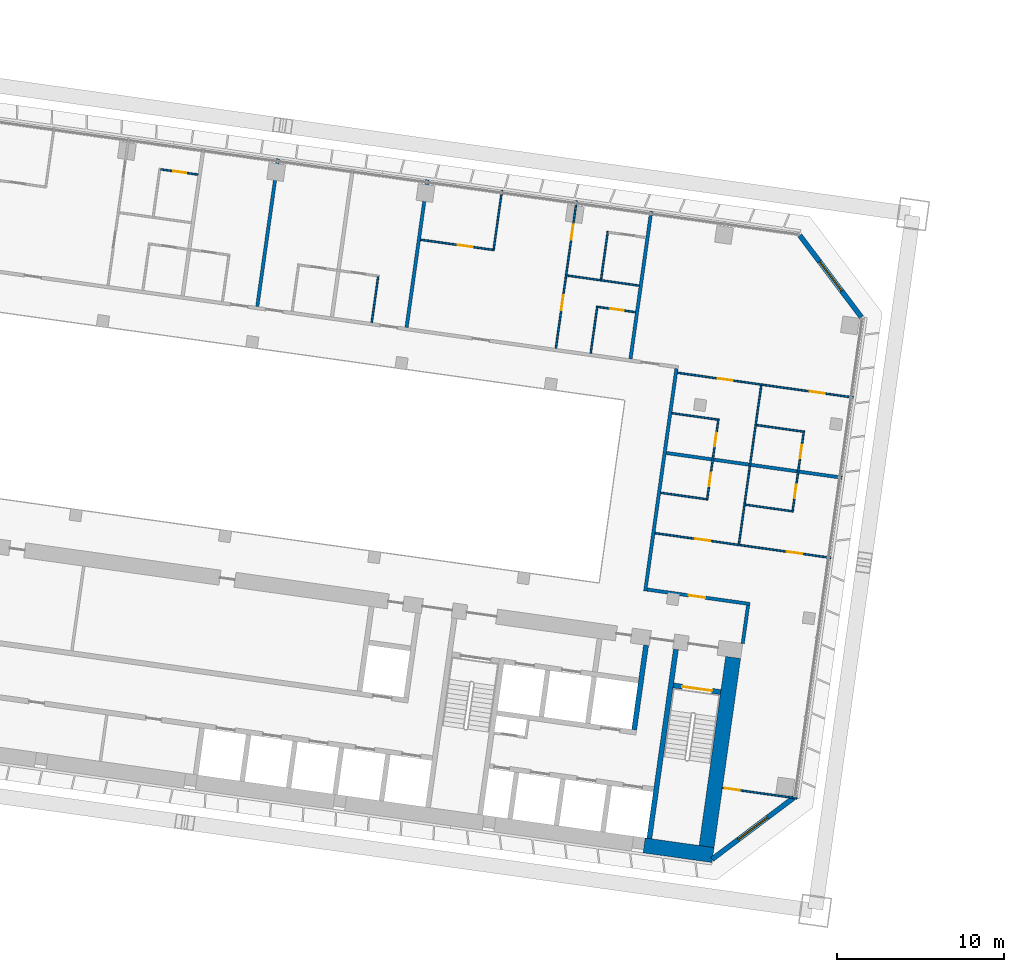
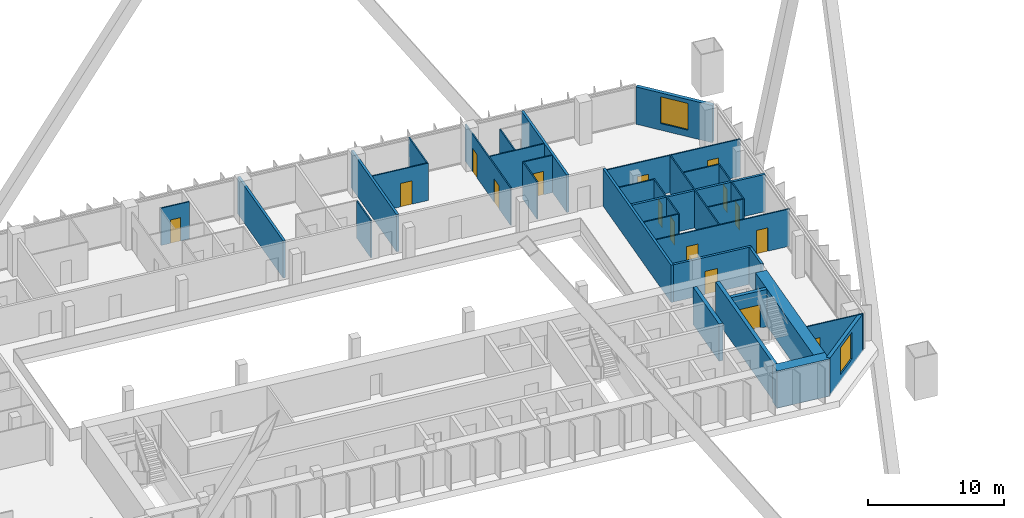
# One storey, part 41 of 49: 33 walls, 16 doors, 2 windows, 18 openings.
"""IFC4 building model written with IfcOpenShell, lengths in metres."""

from ifc_helpers import new_model, si_unit, direction, frame, frame_2d, origin, place, context, subcontext, project, spatial, rectangle, extrude, material, layer, layer_set, type_object, element, fill, save


model = new_model("IFC4")

# Units and contexts
model_context = context("Model", 3, precision=1e-05, world=origin(), true_north=direction((0.0, 1.0)))
body_context = subcontext(model_context, "Body", "Model", "MODEL_VIEW")
ifc_project = project(units=[si_unit("LENGTHUNIT", "METRE"), si_unit("AREAUNIT", "SQUARE_METRE"), si_unit("VOLUMEUNIT", "CUBIC_METRE"), si_unit("PLANEANGLEUNIT", "RADIAN"), si_unit("MASSUNIT", "GRAM", prefix="KILO")], contexts=[model_context])

# Site, building, storey
site_placement = place(None, origin())
site = spatial("IfcSite", under=ifc_project, at=site_placement, CompositionType="ELEMENT")
building_placement = place(site_placement, origin())
building = spatial("IfcBuilding", under=site, at=building_placement, Name="Mirante Cascada Hotel Towers", CompositionType="ELEMENT")
storey_placement = place(building_placement, frame((0.0, 0.0, 66.1)))
storey = spatial("IfcBuildingStorey", under=building, at=storey_placement, Name="L13", CompositionType="ELEMENT", Elevation=66.1)

# Wall, opening, door
ifc_material_1 = material(Name="Fire-rated plasterboard on metal studs")
ifc_layer_1 = layer(ifc_material_1, 0.2)
ifc_layer_set_1 = layer_set([ifc_layer_1], Name="Compartment wall 200 EI 120")
wall_type_1 = type_object("IfcWallType", Name="Compartment wall 200 EI 120", PredefinedType="PARTITIONING", material=ifc_layer_set_1)
wall_1_placement = place(storey_placement, frame((-34.8304, -4.7545, 0.0), z_axis=(0.0, 0.0, 1.0), x_axis=(-0.9902695, 0.1391629, 0.0)))
wall_1 = element("IfcWall", 1, at=wall_1_placement, inside=storey, type_object=wall_type_1, Name="Wall 1-L13-04", PredefinedType="PARTITIONING", context=body_context, shape_type="SweptSolid", body=[
    extrude(rectangle(XDim=6.1999, YDim=0.2, at=frame_2d((3.1, 0.0))), origin(), (0.0, 0.0, 1.0), 3.35),
])
opening_1_placement = place(wall_1_placement, frame((2.7, 0.0, 0.0)))
opening_1 = element("IfcOpeningElement", 2, at=opening_1_placement, cuts=wall_1, Name="Opening D1-L13-05", PredefinedType="OPENING", context=body_context, shape_type="SweptSolid", body=[
    extrude(rectangle(XDim=1.0, YDim=2.1, at=frame_2d((0.5, 1.05))), frame((0.0, 0.1, 0.0), z_axis=(0.0, -1.0, 0.0), x_axis=(1.0, 0.0, 0.0)), (0.0, 0.0, 1.0), 0.2),
])
ifc_material_2 = material(Name="Fire-rated timber door leaf", Category="wood")
door_type_1 = type_object("IfcDoorType", Name="Entrance door DG1 1000x2100 EI 60", OperationType="SINGLE_SWING_LEFT", PredefinedType="DOOR", material=ifc_material_2)
door_1_placement = place(opening_1_placement, origin())
door_1 = element("IfcDoor", 3, at=door_1_placement, inside=storey, type_object=door_type_1, Name="Door D1-L13-05", OperationType="SINGLE_SWING_LEFT", OverallHeight=2.1, OverallWidth=1.0, PredefinedType="DOOR", context=body_context, shape_type="SweptSolid", body=[
    extrude(rectangle(XDim=1.0, YDim=2.1, at=frame_2d((0.5, 1.05))), frame((0.0, 0.025, 0.0), z_axis=(0.0, -1.0, 0.0), x_axis=(1.0, 0.0, 0.0)), (0.0, 0.0, 1.0), 0.05),
])
fill(opening_1, door_1)

# Walls
wall_2_placement = place(storey_placement, frame((-29.3273, 2.7863, 0.0), z_axis=(0.0, 0.0, 1.0), x_axis=(-0.9902686, 0.1391691, 0.0)))
element("IfcWall", 4, at=wall_2_placement, inside=storey, type_object=wall_type_1, Name="Wall 1-L13-12", PredefinedType="PARTITIONING", context=body_context, shape_type="SweptSolid", body=[
    extrude(rectangle(XDim=10.6001, YDim=0.2, at=frame_2d((5.3, 0.0))), origin(), (0.0, 0.0, 1.0), 3.35),
])
wall_3_placement = place(storey_placement, frame((-35.2634, -7.1173, 0.0), z_axis=(0.0, 0.0, 1.0), x_axis=(0.1391749, 0.9902678, 0.0)))
element("IfcWall", 5, at=wall_3_placement, inside=storey, type_object=wall_type_1, Name="Wall 1-L13-32", PredefinedType="PARTITIONING", context=body_context, shape_type="SweptSolid", body=[
    extrude(rectangle(XDim=2.3, YDim=0.2, at=frame_2d((1.15, 0.0))), origin(), (0.0, 0.0, 1.0), 3.35),
])
wall_4_placement = place(storey_placement, frame((-39.2181, 9.2928, 0.0), z_axis=(0.0, 0.0, 1.0), x_axis=(-0.1391716, -0.9902683, 0.0)))
element("IfcWall", 6, at=wall_4_placement, inside=storey, type_object=wall_type_1, Name="Wall 1-L13-35", PredefinedType="PARTITIONING", context=body_context, shape_type="SweptSolid", body=[
    extrude(rectangle(XDim=13.4, YDim=0.2, at=frame_2d((6.7, 0.0))), origin(), (0.0, 0.0, 1.0), 3.35),
])
for number, where, z_axis, x_axis, name in (
    (7, (-41.963, 9.8805, 0.0), (0.0, 0.0, 1.0), (0.1391794, 0.9902672, 0.0), "Wall 1-L13-36"),
    (8, (-54.0929, 20.5728, 0.0), (0.0, 0.0, 1.0), (-0.1391794, -0.9902672, 0.0), "Wall 1-L13-41"),
    (9, (-63.0054, 21.8253, 0.0), (0.0, 0.0, 1.0), (-0.1391684, -0.9902687, 0.0), "Wall 1-L13-45"),
):
    element("IfcWall", number, at=place(storey_placement, frame(where, z_axis=z_axis, x_axis=x_axis)), inside=storey, type_object=wall_type_1, Name=name, PredefinedType="PARTITIONING", context=body_context, shape_type="SweptSolid", body=[
        extrude(rectangle(XDim=8.9, YDim=0.2, at=frame_2d((4.45, 0.0))), origin(), (0.0, 0.0, 1.0), 3.35),
    ])

# Wall, opening, door
ifc_material_3 = material(Name="Plasterboard on metal studs")
ifc_layer_2 = layer(ifc_material_3, 0.1)
ifc_layer_set_2 = layer_set([ifc_layer_2], Name="Partition 100")
wall_type_2 = type_object("IfcWallType", Name="Partition 100", PredefinedType="PARTITIONING", material=ifc_layer_set_2)
wall_5_placement = place(storey_placement, frame((-36.4742, -15.7326, 0.0), z_axis=(0.0, 0.0, 1.0), x_axis=(0.9902674, -0.1391779, 0.0)))
wall_5 = element("IfcWall", 10, at=wall_5_placement, inside=storey, type_object=wall_type_2, Name="Wall 1-L13-01", PredefinedType="PARTITIONING", context=body_context, shape_type="SweptSolid", body=[
    extrude(rectangle(XDim=4.5, YDim=0.1, at=frame_2d((2.25, 0.0))), origin(), (0.0, 0.0, 1.0), 3.35),
])
opening_2_placement = place(wall_5_placement, frame((0.15, 0.0, 0.0)))
opening_2 = element("IfcOpeningElement", 11, at=opening_2_placement, cuts=wall_5, Name="Opening D1-L13-01", PredefinedType="OPENING", context=body_context, shape_type="SweptSolid", body=[
    extrude(rectangle(XDim=0.9, YDim=2.1, at=frame_2d((0.45, 1.05))), frame((0.0, 0.05, 0.0), z_axis=(0.0, -1.0, 0.0), x_axis=(1.0, 0.0, 0.0)), (0.0, 0.0, 1.0), 0.1),
])
ifc_material_4 = material(Name="Timber door leaf", Category="wood")
door_type_2 = type_object("IfcDoorType", Name="Room door DG3 900x2100", OperationType="SINGLE_SWING_LEFT", PredefinedType="DOOR", material=ifc_material_4)
door_2_placement = place(opening_2_placement, origin())
door_2 = element("IfcDoor", 12, at=door_2_placement, inside=storey, type_object=door_type_2, Name="Door D1-L13-01", OperationType="SINGLE_SWING_LEFT", OverallHeight=2.1, OverallWidth=0.9, PredefinedType="DOOR", context=body_context, shape_type="SweptSolid", body=[
    extrude(rectangle(XDim=0.9, YDim=2.1, at=frame_2d((0.45, 1.05))), frame((0.0, 0.025, 0.0), z_axis=(0.0, -1.0, 0.0), x_axis=(1.0, 0.0, 0.0)), (0.0, 0.0, 1.0), 0.05),
])
fill(opening_2, door_2)

# Wall, openings, doors
wall_6_placement = place(storey_placement, frame((-40.4968, -0.5248, 0.0), z_axis=(0.0, 0.0, 1.0), x_axis=(0.9902684, -0.1391704, 0.0)))
wall_6 = element("IfcWall", 13, at=wall_6_placement, inside=storey, type_object=wall_type_2, Name="Wall 1-L13-07", PredefinedType="PARTITIONING", context=body_context, shape_type="SweptSolid", body=[
    extrude(rectangle(XDim=10.6, YDim=0.1, at=frame_2d((5.3, 0.0))), origin(), (0.0, 0.0, 1.0), 3.35),
])
opening_3_placement = place(wall_6_placement, frame((7.975, 0.0, 0.0)))
opening_3 = element("IfcOpeningElement", 14, at=opening_3_placement, cuts=wall_6, Name="Opening D1-L13-06", PredefinedType="OPENING", context=body_context, shape_type="SweptSolid", body=[
    extrude(rectangle(XDim=0.9, YDim=2.1, at=frame_2d((0.45, 1.05))), frame((0.0, 0.05, 0.0), z_axis=(0.0, -1.0, 0.0), x_axis=(1.0, 0.0, 0.0)), (0.0, 0.0, 1.0), 0.1),
])
opening_4_placement = place(wall_6_placement, frame((2.425, 0.0, 0.0)))
opening_4 = element("IfcOpeningElement", 15, at=opening_4_placement, cuts=wall_6, Name="Opening D1-L13-07", PredefinedType="OPENING", context=body_context, shape_type="SweptSolid", body=[
    extrude(rectangle(XDim=0.9, YDim=2.1, at=frame_2d((0.45, 1.05))), frame((0.0, 0.05, 0.0), z_axis=(0.0, -1.0, 0.0), x_axis=(1.0, 0.0, 0.0)), (0.0, 0.0, 1.0), 0.1),
])
door_3_placement = place(opening_3_placement, frame((0.9, 0.0, 0.0), z_axis=(0.0, 0.0, 1.0), x_axis=(-1.0, 0.0, 0.0)))
door_3 = element("IfcDoor", 16, at=door_3_placement, inside=storey, type_object=door_type_2, Name="Door D1-L13-06", OperationType="SINGLE_SWING_RIGHT", OverallHeight=2.1, OverallWidth=0.9, PredefinedType="DOOR", context=body_context, shape_type="SweptSolid", body=[
    extrude(rectangle(XDim=0.9, YDim=2.1, at=frame_2d((0.45, 1.05))), frame((0.0, 0.025, 0.0), z_axis=(0.0, -1.0, 0.0), x_axis=(1.0, 0.0, 0.0)), (0.0, 0.0, 1.0), 0.05),
])
fill(opening_3, door_3)
door_4_placement = place(opening_4_placement, frame((0.9, 0.0, 0.0), z_axis=(0.0, 0.0, 1.0), x_axis=(-1.0, 0.0, 0.0)))
door_4 = element("IfcDoor", 17, at=door_4_placement, inside=storey, type_object=door_type_2, Name="Door D1-L13-07", OperationType="SINGLE_SWING_RIGHT", OverallHeight=2.1, OverallWidth=0.9, PredefinedType="DOOR", context=body_context, shape_type="SweptSolid", body=[
    extrude(rectangle(XDim=0.9, YDim=2.1, at=frame_2d((0.45, 1.05))), frame((0.0, 0.025, 0.0), z_axis=(0.0, -1.0, 0.0), x_axis=(1.0, 0.0, 0.0)), (0.0, 0.0, 1.0), 0.05),
])
fill(opening_4, door_4)

# Walls
wall_7_placement = place(storey_placement, frame((-32.3351, 0.7854, 0.0), z_axis=(0.0, 0.0, 1.0), x_axis=(-0.990267, 0.139181, 0.0)))
element("IfcWall", 18, at=wall_7_placement, inside=storey, type_object=wall_type_2, Name="Wall 1-L13-10", PredefinedType="PARTITIONING", context=body_context, shape_type="SweptSolid", body=[
    extrude(rectangle(XDim=2.8, YDim=0.1, at=frame_2d((1.4, 0.0))), origin(), (0.0, 0.0, 1.0), 3.35),
])
wall_8_placement = place(storey_placement, frame((-40.1582, 1.8849, 0.0), z_axis=(0.0, 0.0, 1.0), x_axis=(0.9902641, -0.1392013, 0.0)))
element("IfcWall", 19, at=wall_8_placement, inside=storey, type_object=wall_type_2, Name="Wall 1-L13-11", PredefinedType="PARTITIONING", context=body_context, shape_type="SweptSolid", body=[
    extrude(rectangle(XDim=2.75, YDim=0.1, at=frame_2d((1.375, 0.0))), origin(), (0.0, 0.0, 1.0), 3.35),
])
wall_9_placement = place(storey_placement, frame((-31.667, 5.5387, 0.0), z_axis=(0.0, 0.0, 1.0), x_axis=(-0.9902677, 0.139176, 0.0)))
element("IfcWall", 20, at=wall_9_placement, inside=storey, type_object=wall_type_2, Name="Wall 1-L13-14", PredefinedType="PARTITIONING", context=body_context, shape_type="SweptSolid", body=[
    extrude(rectangle(XDim=2.8001, YDim=0.1, at=frame_2d((1.4, 0.0))), origin(), (0.0, 0.0, 1.0), 3.35),
])
wall_10_placement = place(storey_placement, frame((-39.4902, 6.6381, 0.0), z_axis=(0.0, 0.0, 1.0), x_axis=(0.9902698, -0.1391607, 0.0)))
element("IfcWall", 21, at=wall_10_placement, inside=storey, type_object=wall_type_2, Name="Wall 1-L13-15", PredefinedType="PARTITIONING", context=body_context, shape_type="SweptSolid", body=[
    extrude(rectangle(XDim=2.7501, YDim=0.1, at=frame_2d((1.3751, 0.0))), origin(), (0.0, 0.0, 1.0), 3.35),
])

# Wall, openings, doors
wall_11_placement = place(storey_placement, frame((-28.6547, 7.5726, 0.0), z_axis=(0.0, 0.0, 1.0), x_axis=(-0.9902671, 0.1391797, 0.0)))
wall_11 = element("IfcWall", 22, at=wall_11_placement, inside=storey, type_object=wall_type_2, Name="Wall 1-L13-18", PredefinedType="PARTITIONING", context=body_context, shape_type="SweptSolid", body=[
    extrude(rectangle(XDim=10.6, YDim=0.1, at=frame_2d((5.3, 0.0))), origin(), (0.0, 0.0, 1.0), 3.35),
])
opening_5_placement = place(wall_11_placement, frame((1.725, 0.0, 0.0)))
opening_5 = element("IfcOpeningElement", 23, at=opening_5_placement, cuts=wall_11, Name="Opening D1-L13-08", PredefinedType="OPENING", context=body_context, shape_type="SweptSolid", body=[
    extrude(rectangle(XDim=0.9, YDim=2.1, at=frame_2d((0.45, 1.05))), frame((0.0, 0.05, 0.0), z_axis=(0.0, -1.0, 0.0), x_axis=(1.0, 0.0, 0.0)), (0.0, 0.0, 1.0), 0.1),
])
opening_6_placement = place(wall_11_placement, frame((7.275, 0.0, 0.0)))
opening_6 = element("IfcOpeningElement", 24, at=opening_6_placement, cuts=wall_11, Name="Opening D1-L13-09", PredefinedType="OPENING", context=body_context, shape_type="SweptSolid", body=[
    extrude(rectangle(XDim=0.9, YDim=2.1, at=frame_2d((0.45, 1.05))), frame((0.0, 0.05, 0.0), z_axis=(0.0, -1.0, 0.0), x_axis=(1.0, 0.0, 0.0)), (0.0, 0.0, 1.0), 0.1),
])
door_5_placement = place(opening_5_placement, frame((0.9, 0.0, 0.0), z_axis=(0.0, 0.0, 1.0), x_axis=(-1.0, 0.0, 0.0)))
door_5 = element("IfcDoor", 25, at=door_5_placement, inside=storey, type_object=door_type_2, Name="Door D1-L13-08", OperationType="SINGLE_SWING_RIGHT", OverallHeight=2.1, OverallWidth=0.9, PredefinedType="DOOR", context=body_context, shape_type="SweptSolid", body=[
    extrude(rectangle(XDim=0.9, YDim=2.1, at=frame_2d((0.45, 1.05))), frame((0.0, 0.025, 0.0), z_axis=(0.0, -1.0, 0.0), x_axis=(1.0, 0.0, 0.0)), (0.0, 0.0, 1.0), 0.05),
])
fill(opening_5, door_5)
door_6_placement = place(opening_6_placement, frame((0.9, 0.0, 0.0), z_axis=(0.0, 0.0, 1.0), x_axis=(-1.0, 0.0, 0.0)))
door_6 = element("IfcDoor", 26, at=door_6_placement, inside=storey, type_object=door_type_2, Name="Door D1-L13-09", OperationType="SINGLE_SWING_RIGHT", OverallHeight=2.1, OverallWidth=0.9, PredefinedType="DOOR", context=body_context, shape_type="SweptSolid", body=[
    extrude(rectangle(XDim=0.9, YDim=2.1, at=frame_2d((0.45, 1.05))), frame((0.0, 0.025, 0.0), z_axis=(0.0, -1.0, 0.0), x_axis=(1.0, 0.0, 0.0)), (0.0, 0.0, 1.0), 0.05),
])
fill(opening_6, door_6)

# Wall, opening, door
wall_12_placement = place(storey_placement, frame((-43.9004, 12.9804, 0.0), z_axis=(0.0, 0.0, 1.0), x_axis=(0.9902643, -0.1391997, 0.0)))
wall_12 = element("IfcWall", 27, at=wall_12_placement, inside=storey, type_object=wall_type_2, Name="Wall 1-L13-21", PredefinedType="PARTITIONING", context=body_context, shape_type="SweptSolid", body=[
    extrude(rectangle(XDim=2.25, YDim=0.1, at=frame_2d((1.125, 0.0))), origin(), (0.0, 0.0, 1.0), 3.35),
])
opening_7_placement = place(wall_12_placement, frame((0.75, 0.0, 0.0)))
opening_7 = element("IfcOpeningElement", 28, at=opening_7_placement, cuts=wall_12, Name="Opening D1-L13-20", PredefinedType="OPENING", context=body_context, shape_type="SweptSolid", body=[
    extrude(rectangle(XDim=0.8, YDim=2.1, at=frame_2d((0.4, 1.05))), frame((0.0, 0.05, 0.0), z_axis=(0.0, -1.0, 0.0), x_axis=(1.0, 0.0, 0.0)), (0.0, 0.0, 1.0), 0.1),
])
ifc_material_5 = material(Name="Timber door leaf", Category="wood")
door_type_3 = type_object("IfcDoorType", Name="Bathroom door DG4 800x2100", OperationType="SINGLE_SWING_LEFT", PredefinedType="DOOR", material=ifc_material_5)
door_7_placement = place(opening_7_placement, frame((0.8, 0.0, 0.0), z_axis=(0.0, 0.0, 1.0), x_axis=(-1.0, 0.0, 0.0)))
door_7 = element("IfcDoor", 29, at=door_7_placement, inside=storey, type_object=door_type_3, Name="Door D1-L13-20", OperationType="SINGLE_SWING_RIGHT", OverallHeight=2.1, OverallWidth=0.8, PredefinedType="DOOR", context=body_context, shape_type="SweptSolid", body=[
    extrude(rectangle(XDim=0.8, YDim=2.1, at=frame_2d((0.4, 1.05))), frame((0.0, 0.025, 0.0), z_axis=(0.0, -1.0, 0.0), x_axis=(1.0, 0.0, 0.0)), (0.0, 0.0, 1.0), 0.05),
])
fill(opening_7, door_7)

# Wall
wall_13_placement = place(storey_placement, frame((-45.7573, 14.857, 0.0), z_axis=(0.0, 0.0, 1.0), x_axis=(0.9902683, -0.1391714, 0.0)))
element("IfcWall", 30, at=wall_13_placement, inside=storey, type_object=wall_type_2, Name="Wall 1-L13-25", PredefinedType="PARTITIONING", context=body_context, shape_type="SweptSolid", body=[
    extrude(rectangle(XDim=4.35, YDim=0.1, at=frame_2d((2.175, 0.0))), origin(), (0.0, 0.0, 1.0), 3.35),
])

# Wall, opening, door
wall_14_placement = place(storey_placement, frame((-54.4949, 16.9939, 0.0), z_axis=(0.0, 0.0, 1.0), x_axis=(0.9902683, -0.1391715, 0.0)))
wall_14 = element("IfcWall", 31, at=wall_14_placement, inside=storey, type_object=wall_type_2, Name="Wall 1-L13-27", PredefinedType="PARTITIONING", context=body_context, shape_type="SweptSolid", body=[
    extrude(rectangle(XDim=4.4499, YDim=0.1, at=frame_2d((2.225, 0.0))), origin(), (0.0, 0.0, 1.0), 3.35),
])
opening_8_placement = place(wall_14_placement, frame((2.25, 0.0, 0.0)))
opening_8 = element("IfcOpeningElement", 32, at=opening_8_placement, cuts=wall_14, Name="Opening D1-L13-26", PredefinedType="OPENING", context=body_context, shape_type="SweptSolid", body=[
    extrude(rectangle(XDim=0.9, YDim=2.1, at=frame_2d((0.45, 1.05))), frame((0.0, 0.05, 0.0), z_axis=(0.0, -1.0, 0.0), x_axis=(1.0, 0.0, 0.0)), (0.0, 0.0, 1.0), 0.1),
])
door_8_placement = place(opening_8_placement, frame((0.9, 0.0, 0.0), z_axis=(0.0, 0.0, 1.0), x_axis=(-1.0, 0.0, 0.0)))
door_8 = element("IfcDoor", 33, at=door_8_placement, inside=storey, type_object=door_type_2, Name="Door D1-L13-26", OperationType="SINGLE_SWING_RIGHT", OverallHeight=2.1, OverallWidth=0.9, PredefinedType="DOOR", context=body_context, shape_type="SweptSolid", body=[
    extrude(rectangle(XDim=0.9, YDim=2.1, at=frame_2d((0.45, 1.05))), frame((0.0, 0.025, 0.0), z_axis=(0.0, -1.0, 0.0), x_axis=(1.0, 0.0, 0.0)), (0.0, 0.0, 1.0), 0.05),
])
fill(opening_8, door_8)

wall_15_placement = place(storey_placement, frame((-67.7833, 20.8811, 0.0), z_axis=(0.0, 0.0, 1.0), x_axis=(-0.9902705, 0.1391561, 0.0)))
wall_15 = element("IfcWall", 34, at=wall_15_placement, inside=storey, type_object=wall_type_2, Name="Wall 1-L13-30", PredefinedType="PARTITIONING", context=body_context, shape_type="SweptSolid", body=[
    extrude(rectangle(XDim=2.25, YDim=0.1, at=frame_2d((1.125, 0.0))), origin(), (0.0, 0.0, 1.0), 3.35),
])
opening_9_placement = place(wall_15_placement, frame((0.7, 0.0, 0.0)))
opening_9 = element("IfcOpeningElement", 35, at=opening_9_placement, cuts=wall_15, Name="Opening D1-L13-29", PredefinedType="OPENING", context=body_context, shape_type="SweptSolid", body=[
    extrude(rectangle(XDim=0.8, YDim=2.1, at=frame_2d((0.4, 1.05))), frame((0.0, 0.05, 0.0), z_axis=(0.0, -1.0, 0.0), x_axis=(1.0, 0.0, 0.0)), (0.0, 0.0, 1.0), 0.1),
])
door_9_placement = place(opening_9_placement, origin())
door_9 = element("IfcDoor", 36, at=door_9_placement, inside=storey, type_object=door_type_3, Name="Door D1-L13-29", OperationType="SINGLE_SWING_LEFT", OverallHeight=2.1, OverallWidth=0.8, PredefinedType="DOOR", context=body_context, shape_type="SweptSolid", body=[
    extrude(rectangle(XDim=0.8, YDim=2.1, at=frame_2d((0.4, 1.05))), frame((0.0, 0.025, 0.0), z_axis=(0.0, -1.0, 0.0), x_axis=(1.0, 0.0, 0.0)), (0.0, 0.0, 1.0), 0.05),
])
fill(opening_9, door_9)

# Wall, openings, doors
wall_16_placement = place(storey_placement, frame((-31.6106, 5.5812, 0.0), z_axis=(0.0, 0.0, 1.0), x_axis=(-0.1391638, -0.9902694, 0.0)))
wall_16 = element("IfcWall", 37, at=wall_16_placement, inside=storey, type_object=wall_type_2, Name="Wall 1-L13-31", PredefinedType="PARTITIONING", context=body_context, shape_type="SweptSolid", body=[
    extrude(rectangle(XDim=4.9, YDim=0.1, at=frame_2d((2.45, 0.0))), origin(), (0.0, 0.0, 1.0), 3.35),
])
opening_10_placement = place(wall_16_placement, frame((3.25, 0.0, 0.0)))
opening_10 = element("IfcOpeningElement", 38, at=opening_10_placement, cuts=wall_16, Name="Opening D1-L13-30", PredefinedType="OPENING", context=body_context, shape_type="SweptSolid", body=[
    extrude(rectangle(XDim=0.8, YDim=2.1, at=frame_2d((0.4, 1.05))), frame((0.0, 0.05, 0.0), z_axis=(0.0, -1.0, 0.0), x_axis=(1.0, 0.0, 0.0)), (0.0, 0.0, 1.0), 0.1),
])
opening_11_placement = place(wall_16_placement, frame((0.85, 0.0, 0.0)))
opening_11 = element("IfcOpeningElement", 39, at=opening_11_placement, cuts=wall_16, Name="Opening D1-L13-31", PredefinedType="OPENING", context=body_context, shape_type="SweptSolid", body=[
    extrude(rectangle(XDim=0.8, YDim=2.1, at=frame_2d((0.4, 1.05))), frame((0.0, 0.05, 0.0), z_axis=(0.0, -1.0, 0.0), x_axis=(1.0, 0.0, 0.0)), (0.0, 0.0, 1.0), 0.1),
])
door_10_placement = place(opening_10_placement, frame((0.8, 0.0, 0.0), z_axis=(0.0, 0.0, 1.0), x_axis=(-1.0, 0.0, 0.0)))
door_10 = element("IfcDoor", 40, at=door_10_placement, inside=storey, type_object=door_type_3, Name="Door D1-L13-30", OperationType="SINGLE_SWING_RIGHT", OverallHeight=2.1, OverallWidth=0.8, PredefinedType="DOOR", context=body_context, shape_type="SweptSolid", body=[
    extrude(rectangle(XDim=0.8, YDim=2.1, at=frame_2d((0.4, 1.05))), frame((0.0, 0.025, 0.0), z_axis=(0.0, -1.0, 0.0), x_axis=(1.0, 0.0, 0.0)), (0.0, 0.0, 1.0), 0.05),
])
fill(opening_10, door_10)
door_11_placement = place(opening_11_placement, frame((0.8, 0.0, 0.0), z_axis=(0.0, 0.0, 1.0), x_axis=(-1.0, 0.0, 0.0)))
door_11 = element("IfcDoor", 41, at=door_11_placement, inside=storey, type_object=door_type_3, Name="Door D1-L13-31", OperationType="SINGLE_SWING_RIGHT", OverallHeight=2.1, OverallWidth=0.8, PredefinedType="DOOR", context=body_context, shape_type="SweptSolid", body=[
    extrude(rectangle(XDim=0.8, YDim=2.1, at=frame_2d((0.4, 1.05))), frame((0.0, 0.025, 0.0), z_axis=(0.0, -1.0, 0.0), x_axis=(1.0, 0.0, 0.0)), (0.0, 0.0, 1.0), 0.05),
])
fill(opening_11, door_11)

# Wall
wall_17_placement = place(storey_placement, frame((-34.1576, 8.2955, 0.0), z_axis=(0.0, 0.0, 1.0), x_axis=(-0.1391703, -0.9902685, 0.0)))
element("IfcWall", 42, at=wall_17_placement, inside=storey, type_object=wall_type_2, Name="Wall 1-L13-33", PredefinedType="PARTITIONING", context=body_context, shape_type="SweptSolid", body=[
    extrude(rectangle(XDim=9.5667, YDim=0.1, at=frame_2d((4.7834, 0.0))), origin(), (0.0, 0.0, 1.0), 3.35),
])

# Wall, openings, doors
wall_18_placement = place(storey_placement, frame((-37.3924, 1.4457, 0.0), z_axis=(0.0, 0.0, 1.0), x_axis=(0.1391638, 0.9902694, 0.0)))
wall_18 = element("IfcWall", 43, at=wall_18_placement, inside=storey, type_object=wall_type_2, Name="Wall 1-L13-34", PredefinedType="PARTITIONING", context=body_context, shape_type="SweptSolid", body=[
    extrude(rectangle(XDim=4.9, YDim=0.1, at=frame_2d((2.45, 0.0))), origin(), (0.0, 0.0, 1.0), 3.35),
])
opening_12_placement = place(wall_18_placement, frame((0.85, 0.0, 0.0)))
opening_12 = element("IfcOpeningElement", 44, at=opening_12_placement, cuts=wall_18, Name="Opening D1-L13-32", PredefinedType="OPENING", context=body_context, shape_type="SweptSolid", body=[
    extrude(rectangle(XDim=0.8, YDim=2.1, at=frame_2d((0.4, 1.05))), frame((0.0, 0.05, 0.0), z_axis=(0.0, -1.0, 0.0), x_axis=(1.0, 0.0, 0.0)), (0.0, 0.0, 1.0), 0.1),
])
opening_13_placement = place(wall_18_placement, frame((3.25, 0.0, 0.0)))
opening_13 = element("IfcOpeningElement", 45, at=opening_13_placement, cuts=wall_18, Name="Opening D1-L13-33", PredefinedType="OPENING", context=body_context, shape_type="SweptSolid", body=[
    extrude(rectangle(XDim=0.8, YDim=2.1, at=frame_2d((0.4, 1.05))), frame((0.0, 0.05, 0.0), z_axis=(0.0, -1.0, 0.0), x_axis=(1.0, 0.0, 0.0)), (0.0, 0.0, 1.0), 0.1),
])
door_12_placement = place(opening_12_placement, origin())
door_12 = element("IfcDoor", 46, at=door_12_placement, inside=storey, type_object=door_type_3, Name="Door D1-L13-32", OperationType="SINGLE_SWING_LEFT", OverallHeight=2.1, OverallWidth=0.8, PredefinedType="DOOR", context=body_context, shape_type="SweptSolid", body=[
    extrude(rectangle(XDim=0.8, YDim=2.1, at=frame_2d((0.4, 1.05))), frame((0.0, 0.025, 0.0), z_axis=(0.0, -1.0, 0.0), x_axis=(1.0, 0.0, 0.0)), (0.0, 0.0, 1.0), 0.05),
])
fill(opening_12, door_12)
door_13_placement = place(opening_13_placement, origin())
door_13 = element("IfcDoor", 47, at=door_13_placement, inside=storey, type_object=door_type_3, Name="Door D1-L13-33", OperationType="SINGLE_SWING_LEFT", OverallHeight=2.1, OverallWidth=0.8, PredefinedType="DOOR", context=body_context, shape_type="SweptSolid", body=[
    extrude(rectangle(XDim=0.8, YDim=2.1, at=frame_2d((0.4, 1.05))), frame((0.0, 0.025, 0.0), z_axis=(0.0, -1.0, 0.0), x_axis=(1.0, 0.0, 0.0)), (0.0, 0.0, 1.0), 0.05),
])
fill(opening_13, door_13)

# Walls
wall_19_placement = place(storey_placement, frame((-43.943, 13.0368, 0.0), z_axis=(0.0, 0.0, 1.0), x_axis=(-0.1391613, -0.9902697, 0.0)))
element("IfcWall", 48, at=wall_19_placement, inside=storey, type_object=wall_type_2, Name="Wall 1-L13-37", PredefinedType="PARTITIONING", context=body_context, shape_type="SweptSolid", body=[
    extrude(rectangle(XDim=2.8499, YDim=0.1, at=frame_2d((1.425, 0.0))), origin(), (0.0, 0.0, 1.0), 3.35),
])
wall_20_placement = place(storey_placement, frame((-43.7203, 14.6213, 0.0), z_axis=(0.0, 0.0, 1.0), x_axis=(0.1391761, 0.9902676, 0.0)))
element("IfcWall", 49, at=wall_20_placement, inside=storey, type_object=wall_type_2, Name="Wall 1-L13-38", PredefinedType="PARTITIONING", context=body_context, shape_type="SweptSolid", body=[
    extrude(rectangle(XDim=2.8999, YDim=0.1, at=frame_2d((1.45, 0.0))), origin(), (0.0, 0.0, 1.0), 3.35),
])

# Wall, openings, doors
wall_21_placement = place(storey_placement, frame((-45.1805, 19.3202, 0.0), z_axis=(0.0, 0.0, 1.0), x_axis=(-0.1391794, -0.9902672, 0.0)))
wall_21 = element("IfcWall", 50, at=wall_21_placement, inside=storey, type_object=wall_type_2, Name="Wall 1-L13-39", PredefinedType="PARTITIONING", context=body_context, shape_type="SweptSolid", body=[
    extrude(rectangle(XDim=8.9, YDim=0.1, at=frame_2d((4.45, 0.0))), origin(), (0.0, 0.0, 1.0), 3.35),
])
opening_14_placement = place(wall_21_placement, frame((5.7, 0.0, 0.0)))
opening_14 = element("IfcOpeningElement", 51, at=opening_14_placement, cuts=wall_21, Name="Opening D1-L13-34", PredefinedType="OPENING", context=body_context, shape_type="SweptSolid", body=[
    extrude(rectangle(XDim=0.9, YDim=2.1, at=frame_2d((0.45, 1.05))), frame((0.0, 0.05, 0.0), z_axis=(0.0, -1.0, 0.0), x_axis=(1.0, 0.0, 0.0)), (0.0, 0.0, 1.0), 0.1),
])
opening_15_placement = place(wall_21_placement, frame((1.45, 0.0, 0.0)))
opening_15 = element("IfcOpeningElement", 52, at=opening_15_placement, cuts=wall_21, Name="Opening D1-L13-35", PredefinedType="OPENING", context=body_context, shape_type="SweptSolid", body=[
    extrude(rectangle(XDim=0.9, YDim=2.1, at=frame_2d((0.45, 1.05))), frame((0.0, 0.05, 0.0), z_axis=(0.0, -1.0, 0.0), x_axis=(1.0, 0.0, 0.0)), (0.0, 0.0, 1.0), 0.1),
])
door_14_placement = place(opening_14_placement, frame((0.9, 0.0, 0.0), z_axis=(0.0, 0.0, 1.0), x_axis=(-1.0, 0.0, 0.0)))
door_14 = element("IfcDoor", 53, at=door_14_placement, inside=storey, type_object=door_type_2, Name="Door D1-L13-34", OperationType="SINGLE_SWING_RIGHT", OverallHeight=2.1, OverallWidth=0.9, PredefinedType="DOOR", context=body_context, shape_type="SweptSolid", body=[
    extrude(rectangle(XDim=0.9, YDim=2.1, at=frame_2d((0.45, 1.05))), frame((0.0, 0.025, 0.0), z_axis=(0.0, -1.0, 0.0), x_axis=(1.0, 0.0, 0.0)), (0.0, 0.0, 1.0), 0.05),
])
fill(opening_14, door_14)
door_15_placement = place(opening_15_placement, frame((0.9, 0.0, 0.0), z_axis=(0.0, 0.0, 1.0), x_axis=(-1.0, 0.0, 0.0)))
door_15 = element("IfcDoor", 54, at=door_15_placement, inside=storey, type_object=door_type_2, Name="Door D1-L13-35", OperationType="SINGLE_SWING_RIGHT", OverallHeight=2.1, OverallWidth=0.9, PredefinedType="DOOR", context=body_context, shape_type="SweptSolid", body=[
    extrude(rectangle(XDim=0.9, YDim=2.1, at=frame_2d((0.45, 1.05))), frame((0.0, 0.025, 0.0), z_axis=(0.0, -1.0, 0.0), x_axis=(1.0, 0.0, 0.0)), (0.0, 0.0, 1.0), 0.05),
])
fill(opening_15, door_15)

# Walls
wall_22_placement = place(storey_placement, frame((-50.1308, 16.431, 0.0), z_axis=(0.0, 0.0, 1.0), x_axis=(0.139181, 0.990267, 0.0)))
element("IfcWall", 55, at=wall_22_placement, inside=storey, type_object=wall_type_2, Name="Wall 1-L13-40", PredefinedType="PARTITIONING", context=body_context, shape_type="SweptSolid", body=[
    extrude(rectangle(XDim=3.5501, YDim=0.1, at=frame_2d((1.775, 0.0))), origin(), (0.0, 0.0, 1.0), 3.35),
])
wall_23_placement = place(storey_placement, frame((-57.4112, 12.0516, 0.0), z_axis=(0.0, 0.0, 1.0), x_axis=(0.1391963, 0.9902648, 0.0)))
element("IfcWall", 56, at=wall_23_placement, inside=storey, type_object=wall_type_2, Name="Wall 1-L13-42", PredefinedType="PARTITIONING", context=body_context, shape_type="SweptSolid", body=[
    extrude(rectangle(XDim=2.7501, YDim=0.1, at=frame_2d((1.3751, 0.0))), origin(), (0.0, 0.0, 1.0), 3.35),
])

# Wall, opening, window
ifc_material_6 = material(Name="Precast concrete C40/50", Category="concrete")
ifc_layer_3 = layer(ifc_material_6, 0.3)
ifc_layer_set_3 = layer_set([ifc_layer_3], Name="Precast concrete C40/50 cladding wall 300")
wall_type_3 = type_object("IfcWallType", Name="Precast concrete C40/50 cladding wall 300", PredefinedType="STANDARD", material=ifc_layer_set_3)
wall_24_placement = place(storey_placement, frame((-31.857, 17.252, 0.0), z_axis=(0.0, 0.0, 1.0), x_axis=(0.6018141, -0.7986362, 0.0)))
wall_24 = element("IfcWall", 57, at=wall_24_placement, inside=storey, type_object=wall_type_3, Name="Corner cladding wall T1 L13 front inner", PredefinedType="STANDARD", context=body_context, shape_type="SweptSolid", body=[
    extrude(rectangle(XDim=6.1157, YDim=0.3, at=frame_2d((3.0578, 0.0))), origin(), (0.0, 0.0, 1.0), 3.35),
])
opening_16_placement = place(wall_24_placement, frame((1.9578, 0.0, 0.6)))
opening_16 = element("IfcOpeningElement", 58, at=opening_16_placement, cuts=wall_24, Name="Opening W1-13-04", PredefinedType="OPENING", context=body_context, shape_type="SweptSolid", body=[
    extrude(rectangle(XDim=2.2, YDim=2.4, at=frame_2d((1.1, 1.2))), frame((0.0, 0.15, 0.0), z_axis=(0.0, -1.0, 0.0), x_axis=(1.0, 0.0, 0.0)), (0.0, 0.0, 1.0), 0.3),
])
ifc_material_7 = material(Name="Aluminium frame with clear double glazing", Category="aluminium")
window_type = type_object("IfcWindowType", Name="Corner suite window 2200x2400", PartitioningType="DOUBLE_PANEL_VERTICAL", PredefinedType="WINDOW", material=ifc_material_7)
window_1_placement = place(opening_16_placement, origin())
window_1 = element("IfcWindow", 59, at=window_1_placement, inside=storey, type_object=window_type, Name="Window W1-13-04", OverallHeight=2.4, OverallWidth=2.2, PartitioningType="SINGLE_PANEL", PredefinedType="WINDOW", context=body_context, shape_type="SweptSolid", body=[
    extrude(rectangle(XDim=2.2, YDim=2.4, at=frame_2d((1.1, 1.2))), frame((0.0, 0.03, 0.0), z_axis=(0.0, -1.0, 0.0), x_axis=(1.0, 0.0, 0.0)), (0.0, 0.0, 1.0), 0.06),
])
fill(opening_16, window_1)

wall_25_placement = place(storey_placement, frame((-32.2074, -16.3138, 0.0), z_axis=(0.0, 0.0, 1.0), x_axis=(-0.7986362, -0.6018141, 0.0)))
wall_25 = element("IfcWall", 60, at=wall_25_placement, inside=storey, type_object=wall_type_3, Name="Corner cladding wall T1 L13 inner rear", PredefinedType="STANDARD", context=body_context, shape_type="SweptSolid", body=[
    extrude(rectangle(XDim=6.1157, YDim=0.3, at=frame_2d((3.0578, 0.0))), origin(), (0.0, 0.0, 1.0), 3.35),
])
opening_17_placement = place(wall_25_placement, frame((1.9578, 0.0, 0.6)))
opening_17 = element("IfcOpeningElement", 61, at=opening_17_placement, cuts=wall_25, Name="Opening W1-13-05", PredefinedType="OPENING", context=body_context, shape_type="SweptSolid", body=[
    extrude(rectangle(XDim=2.2, YDim=2.4, at=frame_2d((1.1, 1.2))), frame((0.0, 0.15, 0.0), z_axis=(0.0, -1.0, 0.0), x_axis=(1.0, 0.0, 0.0)), (0.0, 0.0, 1.0), 0.3),
])
window_2_placement = place(opening_17_placement, origin())
window_2 = element("IfcWindow", 62, at=window_2_placement, inside=storey, type_object=window_type, Name="Window W1-13-05", OverallHeight=2.4, OverallWidth=2.2, PartitioningType="SINGLE_PANEL", PredefinedType="WINDOW", context=body_context, shape_type="SweptSolid", body=[
    extrude(rectangle(XDim=2.2, YDim=2.4, at=frame_2d((1.1, 1.2))), frame((0.0, 0.03, 0.0), z_axis=(0.0, -1.0, 0.0), x_axis=(1.0, 0.0, 0.0)), (0.0, 0.0, 1.0), 0.06),
])
fill(opening_17, window_2)

# Wall
ifc_material_8 = material(Name="Concrete C50/60", Category="concrete")
ifc_layer_4 = layer(ifc_material_8, 0.3)
ifc_layer_set_4 = layer_set([ifc_layer_4], Name="RC core wall 300 C50/60")
wall_type_4 = type_object("IfcWallType", Name="RC core wall 300 C50/60", PredefinedType="SHEAR", material=ifc_layer_set_4)
wall_26_placement = place(storey_placement, frame((-40.8373, -18.7548, 0.0), z_axis=(0.0, 0.0, 1.0), x_axis=(0.1391749, 0.9902678, 0.0)))
element("IfcWall", 63, at=wall_26_placement, inside=storey, type_object=wall_type_4, Name="Core wall T1:L13:5", PredefinedType="SHEAR", context=body_context, shape_type="SweptSolid", body=[
    extrude(rectangle(XDim=11.4, YDim=0.3, at=frame_2d((5.7, 0.0))), origin(), (0.0, 0.0, 1.0), 3.35),
])

# Wall, opening, door
wall_27_placement = place(storey_placement, frame((-36.5791, -10.0123, 0.0), z_axis=(0.0, 0.0, 1.0), x_axis=(-0.9902704, 0.1391564, 0.0)))
wall_27 = element("IfcWall", 64, at=wall_27_placement, inside=storey, type_object=wall_type_4, Name="Core wall T1:L13:9", PredefinedType="SHEAR", context=body_context, shape_type="SweptSolid", body=[
    extrude(rectangle(XDim=2.85, YDim=0.3, at=frame_2d((1.425, 0.0))), origin(), (0.0, 0.0, 1.0), 3.35),
])
opening_18_placement = place(wall_27_placement, frame((0.525, 0.0, 0.0)))
opening_18 = element("IfcOpeningElement", 65, at=opening_18_placement, cuts=wall_27, Name="Opening D1-13-C13", PredefinedType="OPENING", context=body_context, shape_type="SweptSolid", body=[
    extrude(rectangle(XDim=1.8, YDim=2.1, at=frame_2d((0.9, 1.05))), frame((0.0, 0.15, 0.0), z_axis=(0.0, -1.0, 0.0), x_axis=(1.0, 0.0, 0.0)), (0.0, 0.0, 1.0), 0.3),
])
ifc_material_9 = material(Name="Hollow metal fire door leaf")
door_type_4 = type_object("IfcDoorType", Name="Double fire door 1800x2100 FD60", OperationType="DOUBLE_DOOR_SINGLE_SWING", PredefinedType="DOOR", material=ifc_material_9)
door_16_placement = place(opening_18_placement, origin())
door_16 = element("IfcDoor", 66, at=door_16_placement, inside=storey, type_object=door_type_4, Name="Stair door T1 L13 13", OperationType="DOUBLE_DOOR_SINGLE_SWING", OverallHeight=2.1, OverallWidth=1.8, PredefinedType="DOOR", context=body_context, shape_type="SweptSolid", body=[
    extrude(rectangle(XDim=0.895, YDim=2.1, at=frame_2d((0.4475, 1.05))), frame((0.0, 0.025, 0.0), z_axis=(0.0, -1.0, 0.0), x_axis=(1.0, 0.0, 0.0)), (0.0, 0.0, 1.0), 0.05),
    extrude(rectangle(XDim=0.895, YDim=2.1, at=frame_2d((1.3525, 1.05))), frame((0.0, 0.025, 0.0), z_axis=(0.0, -1.0, 0.0), x_axis=(1.0, 0.0, 0.0)), (0.0, 0.0, 1.0), 0.05),
])
fill(opening_18, door_16)

# Walls
wall_28_placement = place(storey_placement, frame((-41.743, -12.2656, 0.0), z_axis=(0.0, 0.0, 1.0), x_axis=(0.1391755, 0.9902677, 0.0)))
element("IfcWall", 67, at=wall_28_placement, inside=storey, type_object=wall_type_4, Name="Core wall T1:L13:20", PredefinedType="SHEAR", context=body_context, shape_type="SweptSolid", body=[
    extrude(rectangle(XDim=5.1, YDim=0.3, at=frame_2d((2.55, 0.0))), origin(), (0.0, 0.0, 1.0), 3.35),
])
ifc_material_10 = material(Name="Concrete C50/60", Category="concrete")
ifc_layer_5 = layer(ifc_material_10, 0.9)
ifc_layer_set_5 = layer_set([ifc_layer_5], Name="RC core wall 900 C50/60")
wall_type_5 = type_object("IfcWallType", Name="RC core wall 900 C50/60", PredefinedType="SHEAR", material=ifc_layer_set_5)
wall_29_placement = place(storey_placement, frame((-37.0379, -19.7432, 0.0), z_axis=(0.0, 0.0, 1.0), x_axis=(-0.990267, 0.139181, 0.0)))
element("IfcWall", 68, at=wall_29_placement, inside=storey, type_object=wall_type_5, Name="Core wall T1:L13:1.1", PredefinedType="SHEAR", context=body_context, shape_type="SweptSolid", body=[
    extrude(rectangle(XDim=4.15, YDim=0.9, at=frame_2d((2.075, 0.0))), origin(), (0.0, 0.0, 1.0), 3.35),
])
wall_30_placement = place(storey_placement, frame((-37.4209, -19.2349, 0.0), z_axis=(0.0, 0.0, 1.0), x_axis=(0.1391761, 0.9902677, 0.0)))
element("IfcWall", 69, at=wall_30_placement, inside=storey, type_object=wall_type_5, Name="Core wall T1:L13:3", PredefinedType="SHEAR", context=body_context, shape_type="SweptSolid", body=[
    extrude(rectangle(XDim=11.3999, YDim=0.9, at=frame_2d((5.7, 0.0))), origin(), (0.0, 0.0, 1.0), 3.35),
])

save(model, "model.ifc")
